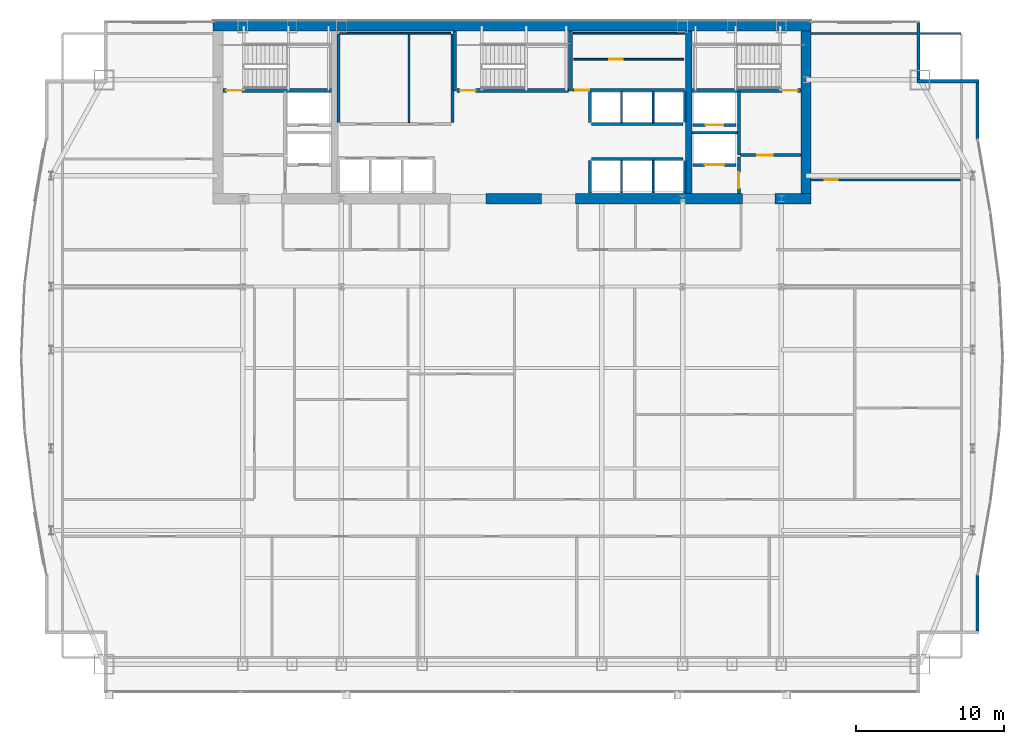
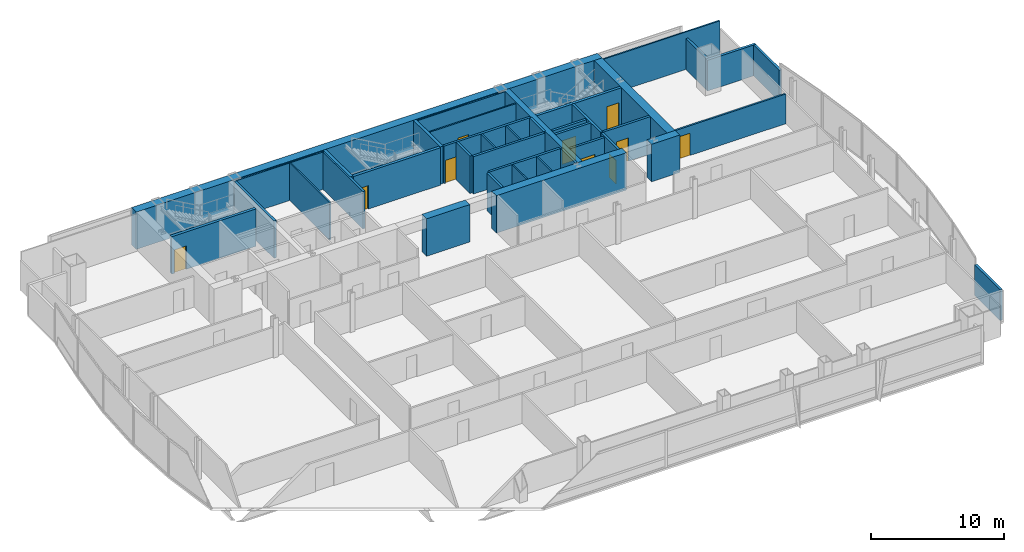
# One storey, part 26 of 29: 40 walls, 10 doors, 10 openings.
"""IFC4 building model written with IfcOpenShell, lengths in metres."""

from ifc_helpers import new_model, si_unit, direction, frame, frame_2d, origin, place, context, subcontext, project, spatial, rectangle, extrude, material, layer, layer_set, type_object, element, fill, save


model = new_model("IFC4")

# Units and contexts
model_context = context("Model", 3, precision=1e-05, world=origin(), true_north=direction((0.0, 1.0)))
body_context = subcontext(model_context, "Body", "Model", "MODEL_VIEW")
ifc_project = project(units=[si_unit("LENGTHUNIT", "METRE"), si_unit("AREAUNIT", "SQUARE_METRE"), si_unit("VOLUMEUNIT", "CUBIC_METRE"), si_unit("PLANEANGLEUNIT", "RADIAN"), si_unit("MASSUNIT", "GRAM", prefix="KILO")], contexts=[model_context])

# Site, building, storey
site_placement = place(None, origin())
site = spatial("IfcSite", under=ifc_project, at=site_placement, CompositionType="ELEMENT")
building_placement = place(site_placement, origin())
building = spatial("IfcBuilding", under=site, at=building_placement, Name="Khoronbel Lancet Exchange", CompositionType="ELEMENT")
storey_placement = place(building_placement, frame((0.0, 0.0, 150.60009765625)))
storey = spatial("IfcBuildingStorey", under=building, at=storey_placement, Name="L37", CompositionType="ELEMENT", Elevation=150.60009765625)

# Walls
ifc_material_1 = material(Name="Concrete C80/95", Category="concrete")
ifc_layer_1 = layer(ifc_material_1, 0.699951171875, Name="Concrete C80/95")
ifc_layer_set_1 = layer_set([ifc_layer_1], Name="Concrete C80/95")
wall_type_1 = type_object("IfcWallType", Name="WL-CW2", PredefinedType="SHEAR", material=ifc_layer_set_1)
wall_1_placement = place(storey_placement, frame((16.199951171875, 53.35009765625, 0.0), z_axis=(0.0, 0.0, 1.0), x_axis=(1.0, 0.0, 0.0)))
element("IfcWall", 1, at=wall_1_placement, inside=storey, type_object=wall_type_1, Name="Level L37 rear core north shear wall", PredefinedType="SHEAR", context=body_context, shape_type="SweptSolid", body=[
    extrude(rectangle(XDim=40.5, YDim=0.699951171875, at=frame_2d((20.25, 0.0))), origin(), (0.0, 0.0, 1.0), 3.43994140625),
])
wall_2_placement = place(storey_placement, frame((56.35009765625, 53.0, 0.0), z_axis=(0.0, 0.0, 1.0), x_axis=(0.0, -1.0, 0.0)))
element("IfcWall", 2, at=wall_2_placement, inside=storey, type_object=wall_type_1, Name="Level L37 rear core east shear wall", PredefinedType="SHEAR", context=body_context, shape_type="SweptSolid", body=[
    extrude(rectangle(XDim=11.0, YDim=0.699951171875, at=frame_2d((5.5, 0.0))), origin(), (0.0, 0.0, 1.0), 3.43994140625),
])
wall_3_placement = place(storey_placement, frame((38.449951171875, 41.64990234375, 0.0), z_axis=(0.0, 0.0, 1.0), x_axis=(-1.0, 0.0, 0.0)))
element("IfcWall", 3, at=wall_3_placement, inside=storey, type_object=wall_type_1, Name="Level L37 rear core south shear wall pier P3", PredefinedType="SHEAR", context=body_context, shape_type="SweptSolid", body=[
    extrude(rectangle(XDim=3.75, YDim=0.699951171875, at=frame_2d((1.875, 0.0))), origin(), (0.0, 0.0, 1.0), 3.43994140625),
])
wall_4_placement = place(storey_placement, frame((52.050048828125, 41.64990234375, 0.0), z_axis=(0.0, 0.0, 1.0), x_axis=(-1.0, 0.0, 0.0)))
element("IfcWall", 4, at=wall_4_placement, inside=storey, type_object=wall_type_1, Name="Level L37 rear core south shear wall pier P4", PredefinedType="SHEAR", context=body_context, shape_type="SweptSolid", body=[
    extrude(rectangle(XDim=11.300048828125, YDim=0.699951171875, at=frame_2d((5.64990234375, 0.0))), origin(), (0.0, 0.0, 1.0), 3.43994140625),
])
wall_5_placement = place(storey_placement, frame((56.699951171875, 41.64990234375, 0.0), z_axis=(0.0, 0.0, 1.0), x_axis=(-1.0, 0.0, 0.0)))
element("IfcWall", 5, at=wall_5_placement, inside=storey, type_object=wall_type_1, Name="Level L37 rear core south shear wall pier P5", PredefinedType="SHEAR", context=body_context, shape_type="SweptSolid", body=[
    extrude(rectangle(XDim=2.449951171875, YDim=0.699951171875, at=frame_2d((1.22509765625, 0.0))), origin(), (0.0, 0.0, 1.0), 3.43994140625),
])
ifc_material_2 = material(Name="Precast concrete C40/50", Category="concrete")
ifc_layer_2 = layer(ifc_material_2, 0.25, Name="Precast concrete C40/50")
ifc_layer_set_2 = layer_set([ifc_layer_2], Name="Precast concrete C40/50")
wall_type_2 = type_object("IfcWallType", Name="WL-EXT250", PredefinedType="SOLIDWALL", material=ifc_layer_set_2)
wall_6_placement = place(storey_placement, frame((63.9599609375, 53.6298828125, 0.0), z_axis=(0.0, 0.0, 1.0), x_axis=(0.0, -1.0, 0.0)))
element("IfcWall", 6, at=wall_6_placement, inside=storey, type_object=wall_type_2, Name="Level L37 notched-corner limestone pier 14", PredefinedType="SOLIDWALL", context=body_context, shape_type="SweptSolid", body=[
    extrude(rectangle(XDim=3.909912109375, YDim=0.219970703125, at=frame_2d((1.955078125, 0.0))), origin(), (0.0, 0.0, 1.0), 2.829833984375),
])
wall_7_placement = place(storey_placement, frame((63.85009765625, 49.610107421875, 0.0), z_axis=(0.0, 0.0, 1.0), x_axis=(1.0, 0.0, 0.0)))
element("IfcWall", 7, at=wall_7_placement, inside=storey, type_object=wall_type_2, Name="Level L37 notched-corner limestone pier 15", PredefinedType="SOLIDWALL", context=body_context, shape_type="SweptSolid", body=[
    extrude(rectangle(XDim=4.219970703125, YDim=0.219970703125, at=frame_2d((2.10986328125, 0.0))), origin(), (0.0, 0.0, 1.0), 2.829833984375),
])
wall_8_placement = place(storey_placement, frame((67.9599609375, 49.5, 0.0), z_axis=(0.0, 0.0, 1.0), x_axis=(0.0, -1.0, 0.0)))
element("IfcWall", 8, at=wall_8_placement, inside=storey, type_object=wall_type_2, Name="Level L37 notched-corner limestone pier 16", PredefinedType="SOLIDWALL", context=body_context, shape_type="SweptSolid", body=[
    extrude(rectangle(XDim=3.82763671875, YDim=0.219970703125, at=frame_2d((1.913818359375, 0.0))), origin(), (0.0, 0.0, 1.0), 2.829833984375),
])
wall_9_placement = place(storey_placement, frame((67.9599609375, 16.227783203125, 0.0), z_axis=(0.0, 0.0, 1.0), x_axis=(0.0, -1.0, 0.0)))
element("IfcWall", 9, at=wall_9_placement, inside=storey, type_object=wall_type_2, Name="Level L37 notched-corner limestone pier 23", PredefinedType="SOLIDWALL", context=body_context, shape_type="SweptSolid", body=[
    extrude(rectangle(XDim=3.827880859375, YDim=0.219970703125, at=frame_2d((1.9140625, 0.0))), origin(), (0.0, 0.0, 1.0), 2.829833984375),
])

# Wall, opening, door
ifc_material_3 = material(Name="Acoustic Metal-Stud & Mineral-Wool Gypsum Partition 120 mm", Category="gypsum")
ifc_layer_3 = layer(ifc_material_3, 0.1201171875, Name="Acoustic Metal-Stud & Mineral-Wool Gypsum Partition 120 mm")
ifc_layer_set_3 = layer_set([ifc_layer_3], Name="Acoustic Metal-Stud & Mineral-Wool Gypsum Partition 120 mm")
wall_type_3 = type_object("IfcWallType", Name="WL-PRT120", PredefinedType="PARTITIONING", material=ifc_layer_set_3)
wall_10_placement = place(storey_placement, frame((56.699951171875, 42.919921875, 0.0), z_axis=(0.0, 0.0, 1.0), x_axis=(1.0, 0.0, 0.0)))
wall_10 = element("IfcWall", 10, at=wall_10_placement, inside=storey, type_object=wall_type_3, Name="Level L37 interior partition PW-NE-H", PredefinedType="PARTITIONING", context=body_context, shape_type="SweptSolid", body=[
    extrude(rectangle(XDim=10.10498046875, YDim=0.14990234375, at=frame_2d((5.052490234375, 0.0))), origin(), (0.0, 0.0, 1.0), 2.72998046875),
])
opening_1_placement = place(wall_10_placement, frame((0.89990234375, 0.0, 0.0)))
opening_1 = element("IfcOpeningElement", 11, at=opening_1_placement, cuts=wall_10, Name="Opening D5", PredefinedType="OPENING", context=body_context, shape_type="SweptSolid", body=[
    extrude(rectangle(XDim=0.89990234375, YDim=2.050048828125, at=frame_2d((0.449951171875, 1.02490234375))), frame((0.0, 0.0849609375, 0.0), z_axis=(0.0, -1.0, 0.0), x_axis=(1.0, 0.0, 0.0)), (0.0, 0.0, 1.0), 0.169921875),
])
ifc_material_4 = material(Name="Acoustic Timber Pantry & Support Door", Category="wood")
door_type_1 = type_object("IfcDoorType", Name="DR-D5", OperationType="NOTDEFINED", PredefinedType="DOOR", material=ifc_material_4)
door_1_placement = place(opening_1_placement, origin())
door_1 = element("IfcDoor", 12, at=door_1_placement, inside=storey, type_object=door_type_1, Name="NE north room door L37-1", OperationType="SINGLE_SWING_LEFT", OverallHeight=2.050048828125, OverallWidth=0.89990234375, PredefinedType="DOOR", context=body_context, shape_type="SweptSolid", body=[
    extrude(rectangle(XDim=0.89990234375, YDim=2.050048828125, at=frame_2d((0.449951171875, 1.02490234375))), frame((0.0, 0.02490234375, 0.0), z_axis=(0.0, -1.0, 0.0), x_axis=(1.0, 0.0, 0.0)), (0.0, 0.0, 1.0), 0.050048828125),
])
fill(opening_1, door_1)

# Walls
wall_11_placement = place(storey_placement, frame((56.699951171875, 52.840087890625, 0.0), z_axis=(0.0, 0.0, 1.0), x_axis=(1.0, 0.0, 0.0)))
element("IfcWall", 13, at=wall_11_placement, inside=storey, type_object=wall_type_3, Name="Level L37 interior partition PW-LIN-NE", PredefinedType="PARTITIONING", context=body_context, shape_type="SweptSolid", body=[
    extrude(rectangle(XDim=10.10498046875, YDim=0.1201171875, at=frame_2d((5.052490234375, 0.0))), origin(), (0.0, 0.0, 1.0), 3.43994140625),
])
ifc_material_5 = material(Name="Fire-Rated Metal-Stud & Mineral-Wool Gypsum Partition 120 mm", Category="gypsum")
ifc_layer_4 = layer(ifc_material_5, 0.1201171875, Name="Fire-Rated Metal-Stud & Mineral-Wool Gypsum Partition 120 mm")
ifc_layer_set_4 = layer_set([ifc_layer_4], Name="Fire-Rated Metal-Stud & Mineral-Wool Gypsum Partition 120 mm")
wall_type_4 = type_object("IfcWallType", Name="WL-PRT120F", PredefinedType="PARTITIONING", material=ifc_layer_set_4)
wall_12_placement = place(storey_placement, frame((24.804931640625, 52.860107421875, 0.0), z_axis=(0.0, 0.0, 1.0), x_axis=(1.0, 0.0, 0.0)))
element("IfcWall", 14, at=wall_12_placement, inside=storey, type_object=wall_type_4, Name="Level L37 interior partition CW-PL-RN", PredefinedType="PARTITIONING", context=body_context, shape_type="SweptSolid", body=[
    extrude(rectangle(XDim=7.510009765625, YDim=0.1201171875, at=frame_2d((3.7548828125, 0.0))), origin(), (0.0, 0.0, 1.0), 3.43994140625),
])
wall_13_placement = place(storey_placement, frame((29.486328125, 46.804931640625, 0.0), z_axis=(0.0, 0.0, 1.0), x_axis=(0.0, 1.0, 0.0)))
element("IfcWall", 15, at=wall_13_placement, inside=storey, type_object=wall_type_4, Name="Level L37 interior partition CW-PL-RS2", PredefinedType="PARTITIONING", context=body_context, shape_type="SweptSolid", body=[
    extrude(rectangle(XDim=5.989990234375, YDim=0.1201171875, at=frame_2d((2.9951171875, 0.0))), origin(), (0.0, 0.0, 1.0), 3.43994140625),
])
for number, where, z_axis, x_axis, name in (
    (16, (43.860107421875, 46.804931640625, 0.0), (0.0, 0.0, 1.0), (0.0, 1.0, 0.0), "Level L37 interior partition CW-PH-D1"),
    (17, (46.0, 46.804931640625, 0.0), (0.0, 0.0, 1.0), (0.0, 1.0, 0.0), "Level L37 interior partition CW-PH-D2"),
):
    element("IfcWall", number, at=place(storey_placement, frame(where, z_axis=z_axis, x_axis=x_axis)), inside=storey, type_object=wall_type_4, Name=name, PredefinedType="PARTITIONING", context=body_context, shape_type="SweptSolid", body=[
        extrude(rectangle(XDim=2.090087890625, YDim=0.1201171875, at=frame_2d((1.044921875, 0.0))), origin(), (0.0, 0.0, 1.0), 3.43994140625),
    ])
for number, where, z_axis, x_axis, name in (
    (18, (43.860107421875, 42.050048828125, 0.0), (0.0, 0.0, 1.0), (0.0, 1.0, 0.0), "Level L37 interior partition CW-PX-D1"),
    (19, (46.0, 42.050048828125, 0.0), (0.0, 0.0, 1.0), (0.0, 1.0, 0.0), "Level L37 interior partition CW-PX-D2"),
):
    element("IfcWall", number, at=place(storey_placement, frame(where, z_axis=z_axis, x_axis=x_axis)), inside=storey, type_object=wall_type_4, Name=name, PredefinedType="PARTITIONING", context=body_context, shape_type="SweptSolid", body=[
        extrude(rectangle(XDim=2.195068359375, YDim=0.1201171875, at=frame_2d((1.09765625, 0.0))), origin(), (0.0, 0.0, 1.0), 3.43994140625),
    ])
wall_14_placement = place(storey_placement, frame((40.580078125, 52.860107421875, 0.0), z_axis=(0.0, 0.0, 1.0), x_axis=(1.0, 0.0, 0.0)))
element("IfcWall", 20, at=wall_14_placement, inside=storey, type_object=wall_type_4, Name="Level L37 interior partition CW-SUP-NE-N", PredefinedType="PARTITIONING", context=body_context, shape_type="SweptSolid", body=[
    extrude(rectangle(XDim=7.559814453125, YDim=0.1201171875, at=frame_2d((3.77978515625, 0.0))), origin(), (0.0, 0.0, 1.0), 3.43994140625),
])

# Wall, opening, door
wall_15_placement = place(storey_placement, frame((40.6298828125, 51.090087890625, 0.0), z_axis=(0.0, 0.0, 1.0), x_axis=(1.0, 0.0, 0.0)))
wall_15 = element("IfcWall", 21, at=wall_15_placement, inside=storey, type_object=wall_type_4, Name="Level L37 interior partition CW-SUP-NE-H", PredefinedType="PARTITIONING", context=body_context, shape_type="SweptSolid", body=[
    extrude(rectangle(XDim=7.460205078125, YDim=0.1201171875, at=frame_2d((3.72998046875, 0.0))), origin(), (0.0, 0.0, 1.0), 3.43994140625),
])
opening_2_placement = place(wall_15_placement, frame((2.39990234375, 0.0, 0.0)))
opening_2 = element("IfcOpeningElement", 22, at=opening_2_placement, cuts=wall_15, Name="Opening FD4", PredefinedType="OPENING", context=body_context, shape_type="SweptSolid", body=[
    extrude(rectangle(XDim=0.89990234375, YDim=2.050048828125, at=frame_2d((0.449951171875, 1.02490234375))), frame((0.0, 0.070068359375, 0.0), z_axis=(0.0, -1.0, 0.0), x_axis=(1.0, 0.0, 0.0)), (0.0, 0.0, 1.0), 0.14013671875),
])
ifc_material_6 = material(Name="Fire-Rated Steel Core Support Door Assembly", Category="steel")
door_type_2 = type_object("IfcDoorType", Name="DR-FD4", OperationType="NOTDEFINED", PredefinedType="DOOR", material=ifc_material_6)
door_2_placement = place(opening_2_placement, origin())
door_2 = element("IfcDoor", 23, at=door_2_placement, inside=storey, type_object=door_type_2, Name="Core NE north store door L37-1", OperationType="SINGLE_SWING_RIGHT", OverallHeight=2.050048828125, OverallWidth=0.89990234375, PredefinedType="DOOR", context=body_context, shape_type="SweptSolid", body=[
    extrude(rectangle(XDim=0.89990234375, YDim=2.050048828125, at=frame_2d((0.449951171875, 1.02490234375))), frame((0.0, 0.02490234375, 0.0), z_axis=(0.0, -1.0, 0.0), x_axis=(1.0, 0.0, 0.0)), (0.0, 0.0, 1.0), 0.050048828125),
])
fill(opening_2, door_2)

ifc_material_7 = material(Name="Autoclaved Aerated Concrete Blockwork 200 mm", Category="masonry")
ifc_layer_5 = layer(ifc_material_7, 0.199951171875, Name="Autoclaved Aerated Concrete Blockwork 200 mm")
ifc_layer_set_5 = layer_set([ifc_layer_5], Name="Autoclaved Aerated Concrete Blockwork 200 mm")
wall_type_5 = type_object("IfcWallType", Name="WL-PRT200", PredefinedType="PARTITIONING", material=ifc_layer_set_5)
wall_16_placement = place(storey_placement, frame((51.610107421875, 43.949951171875, 0.0), z_axis=(0.0, 0.0, 1.0), x_axis=(-1.0, 0.0, 0.0)))
wall_16 = element("IfcWall", 24, at=wall_16_placement, inside=storey, type_object=wall_type_5, Name="Level L37 elevator hoistway landing front wall SVLE", PredefinedType="PARTITIONING", context=body_context, shape_type="SweptSolid", body=[
    extrude(rectangle(XDim=2.920166015625, YDim=0.199951171875, at=frame_2d((1.4599609375, 0.0))), origin(), (0.0, 0.0, 1.0), 3.43994140625),
])
opening_3_placement = place(wall_16_placement, frame((0.81005859375, 0.0, 0.0)))
opening_3 = element("IfcOpeningElement", 25, at=opening_3_placement, cuts=wall_16, Name="Opening LD-SVL2", PredefinedType="OPENING", context=body_context, shape_type="SweptSolid", body=[
    extrude(rectangle(XDim=1.300048828125, YDim=2.179931640625, at=frame_2d((0.64990234375, 1.08984375))), frame((0.0, 0.10986328125, 0.0), z_axis=(0.0, -1.0, 0.0), x_axis=(1.0, 0.0, 0.0)), (0.0, 0.0, 1.0), 0.219970703125),
])
ifc_material_8 = material(Name="Heavy-Duty Bi-Parting Goods Lift Landing Door", Category="steel")
door_type_3 = type_object("IfcDoorType", Name="DR-LD-SVL", OperationType="NOTDEFINED", PredefinedType="DOOR", material=ifc_material_8)
door_3_placement = place(opening_3_placement, origin())
door_3 = element("IfcDoor", 26, at=door_3_placement, inside=storey, type_object=door_type_3, Name="Elevator landing sliding door LD-SVL2 L37", OperationType="SLIDING_TO_LEFT", OverallHeight=2.179931640625, OverallWidth=1.300048828125, PredefinedType="DOOR", context=body_context, shape_type="SweptSolid", body=[
    extrude(rectangle(XDim=1.300048828125, YDim=2.179931640625, at=frame_2d((0.64990234375, 1.08984375))), frame((0.0, 0.02490234375, 0.0), z_axis=(0.0, -1.0, 0.0), x_axis=(1.0, 0.0, 0.0)), (0.0, 0.0, 1.0), 0.050048828125),
])
fill(opening_3, door_3)

wall_17_placement = place(storey_placement, frame((51.610107421875, 46.64990234375, 0.0), z_axis=(0.0, 0.0, 1.0), x_axis=(-1.0, 0.0, 0.0)))
wall_17 = element("IfcWall", 27, at=wall_17_placement, inside=storey, type_object=wall_type_5, Name="Level L37 elevator hoistway landing front wall FFLE", PredefinedType="PARTITIONING", context=body_context, shape_type="SweptSolid", body=[
    extrude(rectangle(XDim=2.920166015625, YDim=0.199951171875, at=frame_2d((1.4599609375, 0.0))), origin(), (0.0, 0.0, 1.0), 3.43994140625),
])
opening_4_placement = place(wall_17_placement, frame((0.860107421875, 0.0, 0.0)))
opening_4 = element("IfcOpeningElement", 28, at=opening_4_placement, cuts=wall_17, Name="Opening LD-FFL2", PredefinedType="OPENING", context=body_context, shape_type="SweptSolid", body=[
    extrude(rectangle(XDim=1.199951171875, YDim=2.179931640625, at=frame_2d((0.60009765625, 1.08984375))), frame((0.0, 0.10986328125, 0.0), z_axis=(0.0, -1.0, 0.0), x_axis=(1.0, 0.0, 0.0)), (0.0, 0.0, 1.0), 0.219970703125),
])
ifc_material_9 = material(Name="Fire-Rated Stainless Bi-Parting Firefighting Lift Door", Category="steel")
door_type_4 = type_object("IfcDoorType", Name="DR-LD-FFL", OperationType="NOTDEFINED", PredefinedType="DOOR", material=ifc_material_9)
door_4_placement = place(opening_4_placement, origin())
door_4 = element("IfcDoor", 29, at=door_4_placement, inside=storey, type_object=door_type_4, Name="Elevator landing sliding door LD-FFL2 L37", OperationType="SLIDING_TO_LEFT", OverallHeight=2.179931640625, OverallWidth=1.199951171875, PredefinedType="DOOR", context=body_context, shape_type="SweptSolid", body=[
    extrude(rectangle(XDim=1.199951171875, YDim=2.179931640625, at=frame_2d((0.60009765625, 1.08984375))), frame((0.0, 0.02490234375, 0.0), z_axis=(0.0, -1.0, 0.0), x_axis=(1.0, 0.0, 0.0)), (0.0, 0.0, 1.0), 0.050048828125),
])
fill(opening_4, door_4)

# Wall
wall_18_placement = place(storey_placement, frame((51.800048828125, 44.60009765625, 0.0), z_axis=(0.0, 0.0, 1.0), x_axis=(0.0, 1.0, 0.0)))
element("IfcWall", 30, at=wall_18_placement, inside=storey, type_object=wall_type_5, Name="Level L37 interior partition CW-FFLE-W", PredefinedType="PARTITIONING", context=body_context, shape_type="SweptSolid", body=[
    extrude(rectangle(XDim=4.2998046875, YDim=0.199951171875, at=frame_2d((2.14990234375, 0.0))), origin(), (0.0, 0.0, 1.0), 3.43994140625),
])

# Wall, opening, door
wall_19_placement = place(storey_placement, frame((51.89990234375, 44.60009765625, 0.0), z_axis=(0.0, 0.0, 1.0), x_axis=(1.0, 0.0, 0.0)))
wall_19 = element("IfcWall", 31, at=wall_19_placement, inside=storey, type_object=wall_type_5, Name="Level L37 interior partition CW-FFLE-S", PredefinedType="PARTITIONING", context=body_context, shape_type="SweptSolid", body=[
    extrude(rectangle(XDim=4.10009765625, YDim=0.199951171875, at=frame_2d((2.050048828125, 0.0))), origin(), (0.0, 0.0, 1.0), 3.43994140625),
])
opening_5_placement = place(wall_19_placement, frame((1.14990234375, 0.0, 0.0)))
opening_5 = element("IfcOpeningElement", 32, at=opening_5_placement, cuts=wall_19, Name="Opening FD1", PredefinedType="OPENING", context=body_context, shape_type="SweptSolid", body=[
    extrude(rectangle(XDim=1.050048828125, YDim=2.14990234375, at=frame_2d((0.52490234375, 1.074951171875))), frame((0.0, 0.10986328125, 0.0), z_axis=(0.0, -1.0, 0.0), x_axis=(1.0, 0.0, 0.0)), (0.0, 0.0, 1.0), 0.219970703125),
])
ifc_material_10 = material(Name="Fire-Rated Painted Steel Door Assembly", Category="steel")
door_type_5 = type_object("IfcDoorType", Name="DR-FD1", OperationType="NOTDEFINED", PredefinedType="DOOR", material=ifc_material_10)
door_5_placement = place(opening_5_placement, origin())
door_5 = element("IfcDoor", 33, at=door_5_placement, inside=storey, type_object=door_type_5, Name="East firefighting lobby FD90S door L37-1", OperationType="SINGLE_SWING_LEFT", OverallHeight=2.14990234375, OverallWidth=1.050048828125, PredefinedType="DOOR", context=body_context, shape_type="SweptSolid", body=[
    extrude(rectangle(XDim=1.050048828125, YDim=2.14990234375, at=frame_2d((0.52490234375, 1.074951171875))), frame((0.0, 0.02490234375, 0.0), z_axis=(0.0, -1.0, 0.0), x_axis=(1.0, 0.0, 0.0)), (0.0, 0.0, 1.0), 0.050048828125),
])
fill(opening_5, door_5)

# Wall
wall_20_placement = place(storey_placement, frame((48.6298828125, 46.1201171875, 0.0), z_axis=(0.0, 0.0, 1.0), x_axis=(1.0, 0.0, 0.0)))
element("IfcWall", 34, at=wall_20_placement, inside=storey, type_object=wall_type_5, Name="Level L37 interior partition CW-FFL2-S", PredefinedType="PARTITIONING", context=body_context, shape_type="SweptSolid", body=[
    extrude(rectangle(XDim=3.070068359375, YDim=0.199951171875, at=frame_2d((1.53515625, 0.0))), origin(), (0.0, 0.0, 1.0), 3.43994140625),
])

# Wall, opening, door
wall_21_placement = place(storey_placement, frame((51.800048828125, 42.0, 0.0), z_axis=(0.0, 0.0, 1.0), x_axis=(0.0, 1.0, 0.0)))
wall_21 = element("IfcWall", 35, at=wall_21_placement, inside=storey, type_object=wall_type_5, Name="Level L37 interior partition CW-SVLE-E", PredefinedType="PARTITIONING", context=body_context, shape_type="SweptSolid", body=[
    extrude(rectangle(XDim=2.4951171875, YDim=0.199951171875, at=frame_2d((1.24755859375, 0.0))), origin(), (0.0, 0.0, 1.0), 3.43994140625),
])
opening_6_placement = place(wall_21_placement, frame((0.3798828125, 0.0, 0.0)))
opening_6 = element("IfcOpeningElement", 36, at=opening_6_placement, cuts=wall_21, Name="Opening FD1", PredefinedType="OPENING", context=body_context, shape_type="SweptSolid", body=[
    extrude(rectangle(XDim=1.050048828125, YDim=2.14990234375, at=frame_2d((0.52490234375, 1.074951171875))), frame((0.0, 0.10986328125, 0.0), z_axis=(0.0, -1.0, 0.0), x_axis=(1.0, 0.0, 0.0)), (0.0, 0.0, 1.0), 0.219970703125),
])
door_6_placement = place(opening_6_placement, origin())
door_6 = element("IfcDoor", 37, at=door_6_placement, inside=storey, type_object=door_type_5, Name="East service lift lobby door L37-1", OperationType="SINGLE_SWING_RIGHT", OverallHeight=2.14990234375, OverallWidth=1.050048828125, PredefinedType="DOOR", context=body_context, shape_type="SweptSolid", body=[
    extrude(rectangle(XDim=1.050048828125, YDim=2.14990234375, at=frame_2d((0.52490234375, 1.074951171875))), frame((0.0, 0.02490234375, 0.0), z_axis=(0.0, -1.0, 0.0), x_axis=(1.0, 0.0, 0.0)), (0.0, 0.0, 1.0), 0.050048828125),
])
fill(opening_6, door_6)

# Walls
for number, where, z_axis, x_axis, name in (
    (38, (24.699951171875, 46.804931640625, 0.0), (0.0, 0.0, 1.0), (0.0, 1.0, 0.0), "Level L37 interior partition CW-PL-RW"),
    (39, (32.419921875, 46.804931640625, 0.0), (0.0, 0.0, 1.0), (0.0, 1.0, 0.0), "Level L37 interior partition CW-PL-RE"),
):
    element("IfcWall", number, at=place(storey_placement, frame(where, z_axis=z_axis, x_axis=x_axis)), inside=storey, type_object=wall_type_5, Name=name, PredefinedType="PARTITIONING", context=body_context, shape_type="SweptSolid", body=[
        extrude(rectangle(XDim=5.989990234375, YDim=0.199951171875, at=frame_2d((2.9951171875, 0.0))), origin(), (0.0, 0.0, 1.0), 3.43994140625),
    ])
wall_22_placement = place(storey_placement, frame((41.824951171875, 46.699951171875, 0.0), z_axis=(0.0, 0.0, 1.0), x_axis=(1.0, 0.0, 0.0)))
element("IfcWall", 40, at=wall_22_placement, inside=storey, type_object=wall_type_5, Name="Level L37 interior partition CW-PH-EXP", PredefinedType="PARTITIONING", context=body_context, shape_type="SweptSolid", body=[
    extrude(rectangle(XDim=6.2099609375, YDim=0.199951171875, at=frame_2d((3.10498046875, 0.0))), origin(), (0.0, 0.0, 1.0), 3.43994140625),
])
for number, where, z_axis, x_axis, name in (
    (41, (41.719970703125, 46.804931640625, 0.0), (0.0, 0.0, 1.0), (0.0, 1.0, 0.0), "Level L37 interior partition CW-PH-W"),
    (42, (48.139892578125, 46.804931640625, 0.0), (0.0, 0.0, 1.0), (0.0, 1.0, 0.0), "Level L37 interior partition CW-PH-E"),
):
    element("IfcWall", number, at=place(storey_placement, frame(where, z_axis=z_axis, x_axis=x_axis)), inside=storey, type_object=wall_type_5, Name=name, PredefinedType="PARTITIONING", context=body_context, shape_type="SweptSolid", body=[
        extrude(rectangle(XDim=2.090087890625, YDim=0.199951171875, at=frame_2d((1.044921875, 0.0))), origin(), (0.0, 0.0, 1.0), 3.43994140625),
    ])
wall_23_placement = place(storey_placement, frame((41.824951171875, 44.35009765625, 0.0), z_axis=(0.0, 0.0, 1.0), x_axis=(1.0, 0.0, 0.0)))
element("IfcWall", 43, at=wall_23_placement, inside=storey, type_object=wall_type_5, Name="Level L37 interior partition CW-PX-EXP", PredefinedType="PARTITIONING", context=body_context, shape_type="SweptSolid", body=[
    extrude(rectangle(XDim=6.2099609375, YDim=0.199951171875, at=frame_2d((3.10498046875, 0.0))), origin(), (0.0, 0.0, 1.0), 3.43994140625),
])
for number, where, z_axis, x_axis, name in (
    (44, (41.719970703125, 42.050048828125, 0.0), (0.0, 0.0, 1.0), (0.0, 1.0, 0.0), "Level L37 interior partition CW-PX-W"),
    (45, (48.139892578125, 42.050048828125, 0.0), (0.0, 0.0, 1.0), (0.0, 1.0, 0.0), "Level L37 interior partition CW-PX-E"),
):
    element("IfcWall", number, at=place(storey_placement, frame(where, z_axis=z_axis, x_axis=x_axis)), inside=storey, type_object=wall_type_5, Name=name, PredefinedType="PARTITIONING", context=body_context, shape_type="SweptSolid", body=[
        extrude(rectangle(XDim=2.195068359375, YDim=0.199951171875, at=frame_2d((1.09765625, 0.0))), origin(), (0.0, 0.0, 1.0), 3.43994140625),
    ])

# Wall, opening, door
wall_24_placement = place(storey_placement, frame((40.580078125, 49.0, 0.0), z_axis=(0.0, 0.0, 1.0), x_axis=(1.0, 0.0, 0.0)))
wall_24 = element("IfcWall", 46, at=wall_24_placement, inside=storey, type_object=wall_type_5, Name="Level L37 interior partition CW-SUP-NE-S", PredefinedType="PARTITIONING", context=body_context, shape_type="SweptSolid", body=[
    extrude(rectangle(XDim=7.559814453125, YDim=0.199951171875, at=frame_2d((3.77978515625, 0.0))), origin(), (0.0, 0.0, 1.0), 3.43994140625),
])
opening_7_placement = place(wall_24_placement, frame((0.159912109375, 0.0, 0.0)))
opening_7 = element("IfcOpeningElement", 47, at=opening_7_placement, cuts=wall_24, Name="Opening FD3", PredefinedType="OPENING", context=body_context, shape_type="SweptSolid", body=[
    extrude(rectangle(XDim=0.949951171875, YDim=2.10009765625, at=frame_2d((0.47509765625, 1.050048828125))), frame((0.0, 0.10986328125, 0.0), z_axis=(0.0, -1.0, 0.0), x_axis=(1.0, 0.0, 0.0)), (0.0, 0.0, 1.0), 0.219970703125),
])
ifc_material_11 = material(Name="Fire-Rated Steel Plant & Riser Door Assembly", Category="steel")
door_type_6 = type_object("IfcDoorType", Name="DR-FD3", OperationType="NOTDEFINED", PredefinedType="DOOR", material=ifc_material_11)
door_7_placement = place(opening_7_placement, origin())
door_7 = element("IfcDoor", 48, at=door_7_placement, inside=storey, type_object=door_type_6, Name="Core NE support room door L37-1", OperationType="SINGLE_SWING_LEFT", OverallHeight=2.10009765625, OverallWidth=0.949951171875, PredefinedType="DOOR", context=body_context, shape_type="SweptSolid", body=[
    extrude(rectangle(XDim=0.949951171875, YDim=2.10009765625, at=frame_2d((0.47509765625, 1.050048828125))), frame((0.0, 0.02490234375, 0.0), z_axis=(0.0, -1.0, 0.0), x_axis=(1.0, 0.0, 0.0)), (0.0, 0.0, 1.0), 0.050048828125),
])
fill(opening_7, door_7)

# Walls
ifc_layer_6 = layer(ifc_material_1, 0.449951171875, Name="Concrete C80/95")
ifc_layer_set_6 = layer_set([ifc_layer_6], Name="Concrete C80/95")
wall_type_6 = type_object("IfcWallType", Name="WL-SW1", PredefinedType="SHEAR", material=ifc_layer_set_6)
wall_25_placement = place(storey_placement, frame((48.39990234375, 42.0, 0.0), z_axis=(0.0, 0.0, 1.0), x_axis=(0.0, 1.0, 0.0)))
element("IfcWall", 49, at=wall_25_placement, inside=storey, type_object=wall_type_6, Name="Level L37 rear core internal spine shear wall IE", PredefinedType="SHEAR", context=body_context, shape_type="SweptSolid", body=[
    extrude(rectangle(XDim=11.0, YDim=0.449951171875, at=frame_2d((5.5, 0.0))), origin(), (0.0, 0.0, 1.0), 3.43994140625),
])
ifc_material_12 = material(Name="Concrete C60/75", Category="concrete")
ifc_layer_7 = layer(ifc_material_12, 0.260009765625, Name="Concrete C60/75")
ifc_layer_set_7 = layer_set([ifc_layer_7], Name="Concrete C60/75")
wall_type_7 = type_object("IfcWallType", Name="WL-SW3", PredefinedType="SHEAR", material=ifc_layer_set_7)
for number, where, z_axis, x_axis, name in (
    (50, (32.580078125, 48.949951171875, 0.0), (0.0, 0.0, 1.0), (0.0, 1.0, 0.0), "Level L37 central stairwell structural shear wall ST3W"),
    (51, (40.419921875, 48.949951171875, 0.0), (0.0, 0.0, 1.0), (0.0, 1.0, 0.0), "Level L37 central stairwell structural shear wall ST3E"),
):
    element("IfcWall", number, at=place(storey_placement, frame(where, z_axis=z_axis, x_axis=x_axis)), inside=storey, type_object=wall_type_7, Name=name, PredefinedType="SHEAR", context=body_context, shape_type="SweptSolid", body=[
        extrude(rectangle(XDim=4.050048828125, YDim=0.260009765625, at=frame_2d((2.02490234375, 0.0))), origin(), (0.0, 0.0, 1.0), 3.43994140625),
    ])

# Wall, opening, door
wall_26_placement = place(storey_placement, frame((16.89990234375, 48.97998046875, 0.0), z_axis=(0.0, 0.0, 1.0), x_axis=(1.0, 0.0, 0.0)))
wall_26 = element("IfcWall", 52, at=wall_26_placement, inside=storey, type_object=wall_type_7, Name="Level L37 west stairwell structural south wall", PredefinedType="SHEAR", context=body_context, shape_type="SweptSolid", body=[
    extrude(rectangle(XDim=7.320068359375, YDim=0.239990234375, at=frame_2d((3.66015625, 0.0))), origin(), (0.0, 0.0, 1.0), 3.43994140625),
])
opening_8_placement = place(wall_26_placement, frame((0.219970703125, 0.0, 0.0)))
opening_8 = element("IfcOpeningElement", 53, at=opening_8_placement, cuts=wall_26, Name="Opening SD1", PredefinedType="OPENING", context=body_context, shape_type="SweptSolid", body=[
    extrude(rectangle(XDim=1.050048828125, YDim=2.14990234375, at=frame_2d((0.52490234375, 1.074951171875))), frame((0.0, 0.1298828125, 0.0), z_axis=(0.0, -1.0, 0.0), x_axis=(1.0, 0.0, 0.0)), (0.0, 0.0, 1.0), 0.260009765625),
])
ifc_material_13 = material(Name="Fire-Rated Steel Stairwell Door Assembly", Category="steel")
door_type_7 = type_object("IfcDoorType", Name="DR-SD1", OperationType="NOTDEFINED", PredefinedType="DOOR", material=ifc_material_13)
door_8_placement = place(opening_8_placement, origin())
door_8 = element("IfcDoor", 54, at=door_8_placement, inside=storey, type_object=door_type_7, Name="Protected exit stair ST1 door L37", OperationType="SINGLE_SWING_LEFT", OverallHeight=2.14990234375, OverallWidth=1.050048828125, PredefinedType="DOOR", context=body_context, shape_type="SweptSolid", body=[
    extrude(rectangle(XDim=1.050048828125, YDim=2.14990234375, at=frame_2d((0.52490234375, 1.074951171875))), frame((0.0, 0.02490234375, 0.0), z_axis=(0.0, -1.0, 0.0), x_axis=(1.0, 0.0, 0.0)), (0.0, 0.0, 1.0), 0.050048828125),
])
fill(opening_8, door_8)

wall_27_placement = place(storey_placement, frame((48.6298828125, 48.97998046875, 0.0), z_axis=(0.0, 0.0, 1.0), x_axis=(1.0, 0.0, 0.0)))
wall_27 = element("IfcWall", 55, at=wall_27_placement, inside=storey, type_object=wall_type_7, Name="Level L37 east stairwell structural south wall", PredefinedType="SHEAR", context=body_context, shape_type="SweptSolid", body=[
    extrude(rectangle(XDim=7.3701171875, YDim=0.239990234375, at=frame_2d((3.68505859375, 0.0))), origin(), (0.0, 0.0, 1.0), 3.43994140625),
])
opening_9_placement = place(wall_27_placement, frame((6.10009765625, 0.0, 0.0)))
opening_9 = element("IfcOpeningElement", 56, at=opening_9_placement, cuts=wall_27, Name="Opening SD1", PredefinedType="OPENING", context=body_context, shape_type="SweptSolid", body=[
    extrude(rectangle(XDim=1.050048828125, YDim=2.14990234375, at=frame_2d((0.52490234375, 1.074951171875))), frame((0.0, 0.1298828125, 0.0), z_axis=(0.0, -1.0, 0.0), x_axis=(1.0, 0.0, 0.0)), (0.0, 0.0, 1.0), 0.260009765625),
])
door_9_placement = place(opening_9_placement, origin())
door_9 = element("IfcDoor", 57, at=door_9_placement, inside=storey, type_object=door_type_7, Name="Protected exit stair ST2 door L37", OperationType="SINGLE_SWING_RIGHT", OverallHeight=2.14990234375, OverallWidth=1.050048828125, PredefinedType="DOOR", context=body_context, shape_type="SweptSolid", body=[
    extrude(rectangle(XDim=1.050048828125, YDim=2.14990234375, at=frame_2d((0.52490234375, 1.074951171875))), frame((0.0, 0.02490234375, 0.0), z_axis=(0.0, -1.0, 0.0), x_axis=(1.0, 0.0, 0.0)), (0.0, 0.0, 1.0), 0.050048828125),
])
fill(opening_9, door_9)

wall_28_placement = place(storey_placement, frame((32.719970703125, 48.97998046875, 0.0), z_axis=(0.0, 0.0, 1.0), x_axis=(1.0, 0.0, 0.0)))
wall_28 = element("IfcWall", 58, at=wall_28_placement, inside=storey, type_object=wall_type_7, Name="Level L37 central stairwell structural south wall", PredefinedType="SHEAR", context=body_context, shape_type="SweptSolid", body=[
    extrude(rectangle(XDim=7.56005859375, YDim=0.239990234375, at=frame_2d((3.780029296875, 0.0))), origin(), (0.0, 0.0, 1.0), 3.43994140625),
])
opening_10_placement = place(wall_28_placement, frame((0.219970703125, 0.0, 0.0)))
opening_10 = element("IfcOpeningElement", 59, at=opening_10_placement, cuts=wall_28, Name="Opening SD1", PredefinedType="OPENING", context=body_context, shape_type="SweptSolid", body=[
    extrude(rectangle(XDim=1.050048828125, YDim=2.14990234375, at=frame_2d((0.52490234375, 1.074951171875))), frame((0.0, 0.1298828125, 0.0), z_axis=(0.0, -1.0, 0.0), x_axis=(1.0, 0.0, 0.0)), (0.0, 0.0, 1.0), 0.260009765625),
])
door_10_placement = place(opening_10_placement, origin())
door_10 = element("IfcDoor", 60, at=door_10_placement, inside=storey, type_object=door_type_7, Name="Protected exit stair ST3 door L37", OperationType="SINGLE_SWING_LEFT", OverallHeight=2.14990234375, OverallWidth=1.050048828125, PredefinedType="DOOR", context=body_context, shape_type="SweptSolid", body=[
    extrude(rectangle(XDim=1.050048828125, YDim=2.14990234375, at=frame_2d((0.52490234375, 1.074951171875))), frame((0.0, 0.02490234375, 0.0), z_axis=(0.0, -1.0, 0.0), x_axis=(1.0, 0.0, 0.0)), (0.0, 0.0, 1.0), 0.050048828125),
])
fill(opening_10, door_10)

save(model, "model.ifc")
